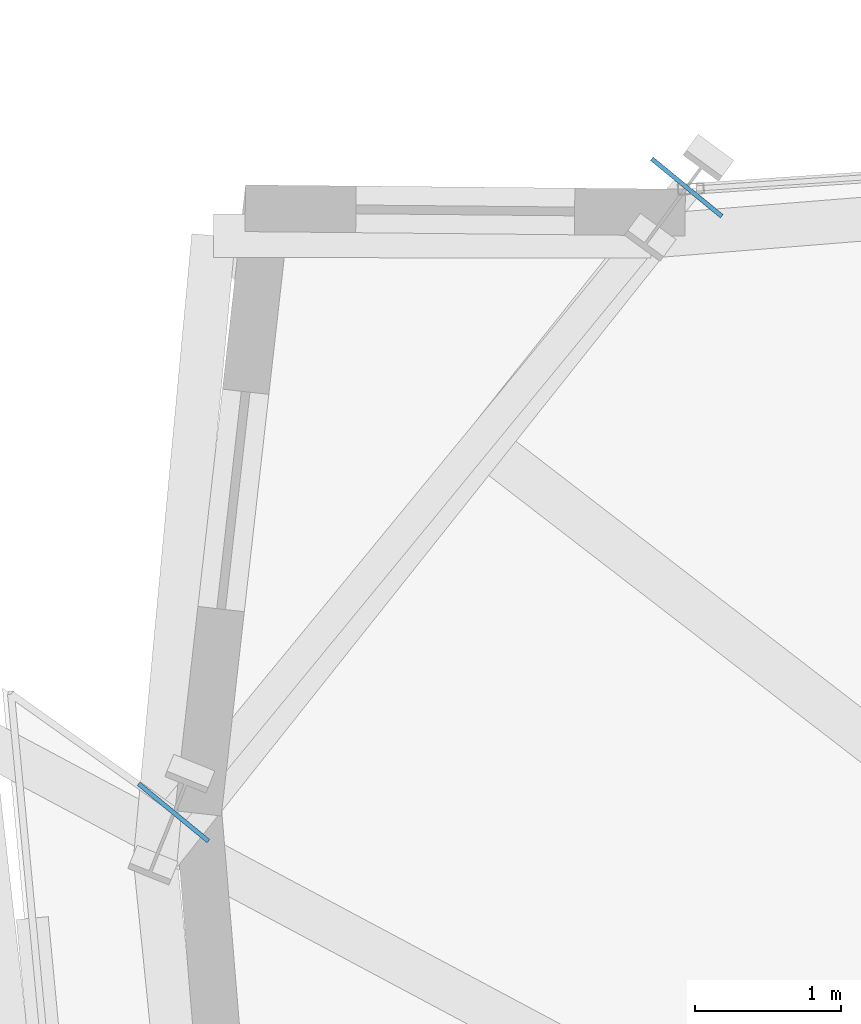
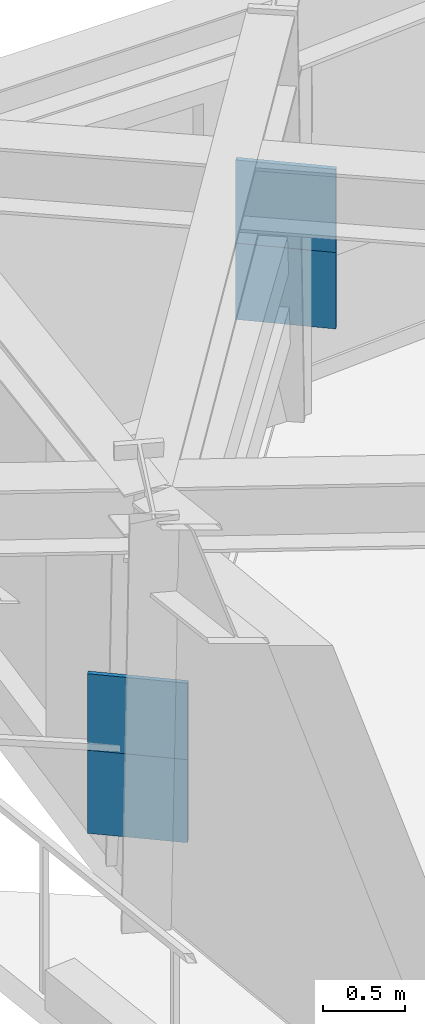
# One storey, part 12 of 21: 4 plates.
"""IFC4 building model written with IfcOpenShell, lengths in metres."""

from ifc_helpers import new_model, si_unit, direction, frame, origin, origin_2d, place, context, subcontext, project, spatial, rectangle, extrude, source, transform, mapped, material, type_object, element, save


model = new_model("IFC4")

# Units and contexts
model_context = context("Model", 3, precision=1e-05, world=origin(), true_north=direction((0.0, 1.0)))
body_context = subcontext(model_context, "Body", "Model", "MODEL_VIEW")
ifc_project = project(units=[si_unit("LENGTHUNIT", "METRE"), si_unit("AREAUNIT", "SQUARE_METRE"), si_unit("VOLUMEUNIT", "CUBIC_METRE"), si_unit("PLANEANGLEUNIT", "RADIAN"), si_unit("MASSUNIT", "GRAM", prefix="KILO")], contexts=[model_context])

# Site, building, storey
site_placement = place(None, origin())
site = spatial("IfcSite", under=ifc_project, at=site_placement, CompositionType="ELEMENT")
building_placement = place(site_placement, origin())
building = spatial("IfcBuilding", under=site, at=building_placement, Name="Olszyna Solenne Hotel", CompositionType="ELEMENT")
storey_placement = place(building_placement, frame((0.0, 0.0, 109.25)))
storey = spatial("IfcBuildingStorey", under=building, at=storey_placement, Name="L28", CompositionType="ELEMENT", Elevation=109.25)

# Plates
ifc_material = material(Name="Steel S460M", Category="steel")
plate_type = type_object("IfcPlateType", Name="GP-CAP2", PredefinedType="USERDEFINED", material=ifc_material)
shared_shape = source(origin(), body_context, "Body", "SweptSolid", [
    extrude(rectangle(XDim=0.030029296875, YDim=0.6201171875, at=origin_2d()), origin(), (0.0, 0.0, 1.0), 0.6201171875),
])
for number, where, z_axis, x_axis, name in (
    (1, (19.98974609375, 42.462646484375, 1.0400390625), (0.0, 0.0, 1.0), (-0.634730513202, -0.772733573497, 0.0), "Hollow section end-cap plate GP-CAP2 CP-PR-M-L28-PR1-1"),
    (2, (16.469482421875, 38.176513671875, 1.0400390625), (0.0, 0.0, 1.0), (-0.634730513202, -0.772733573497, 0.0), "Hollow section end-cap plate GP-CAP2 CP-PR-M-L28-PR1-2"),
    (3, (19.98974609375, 42.462646484375, 0.469970703125), (0.0, 0.0, 1.0), (-0.634730513202, -0.772733573497, 0.0), "Hollow section end-cap plate GP-CAP2 CP-PR-M-L28-PR2-1"),
    (4, (16.469482421875, 38.176513671875, 0.469970703125), (0.0, 0.0, 1.0), (-0.634730513202, -0.772733573497, 0.0), "Hollow section end-cap plate GP-CAP2 CP-PR-M-L28-PR2-2"),
):
    element("IfcPlate", number, at=place(storey_placement, frame(where, z_axis=z_axis, x_axis=x_axis)), inside=storey, type_object=plate_type, Name=name, ObjectType="GUSSET_PLATE", PredefinedType="USERDEFINED", context=body_context, shape_type="MappedRepresentation", body=[
        mapped(shared_shape, transform((0.0, 0.0, 0.0), x_axis=(1.0, 0.0, 0.0), y_axis=(0.0, 1.0, 0.0), z_axis=(0.0, 0.0, 1.0), scale=1.0)),
    ])

save(model, "model.ifc")
